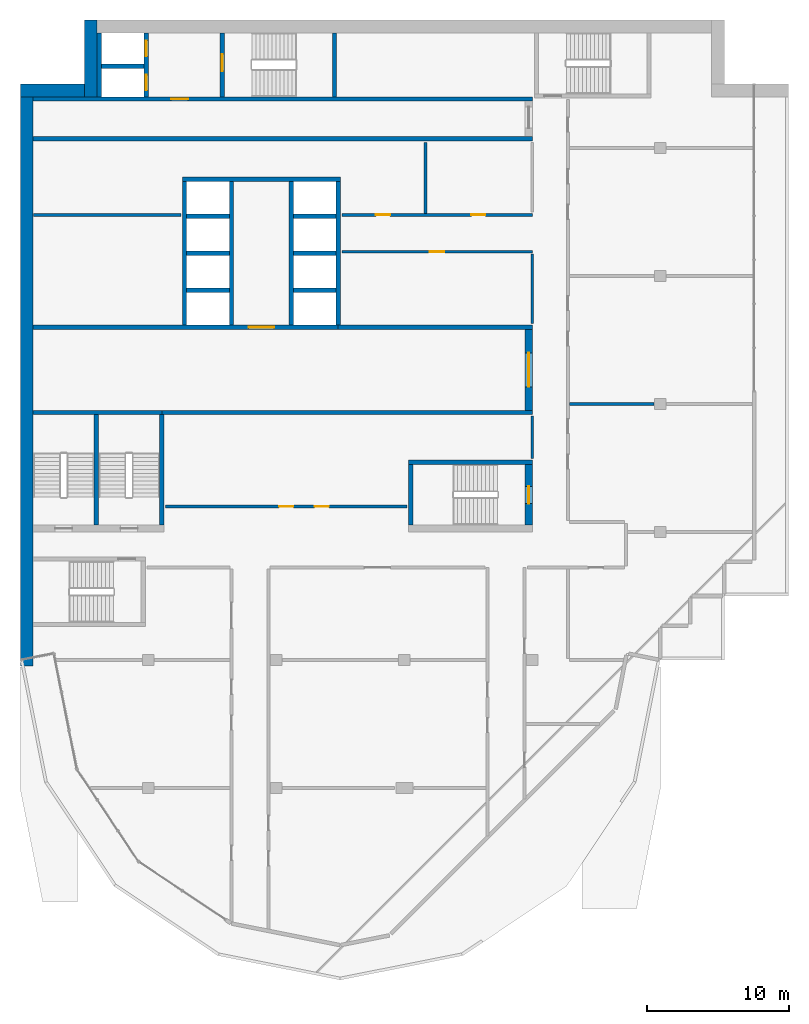
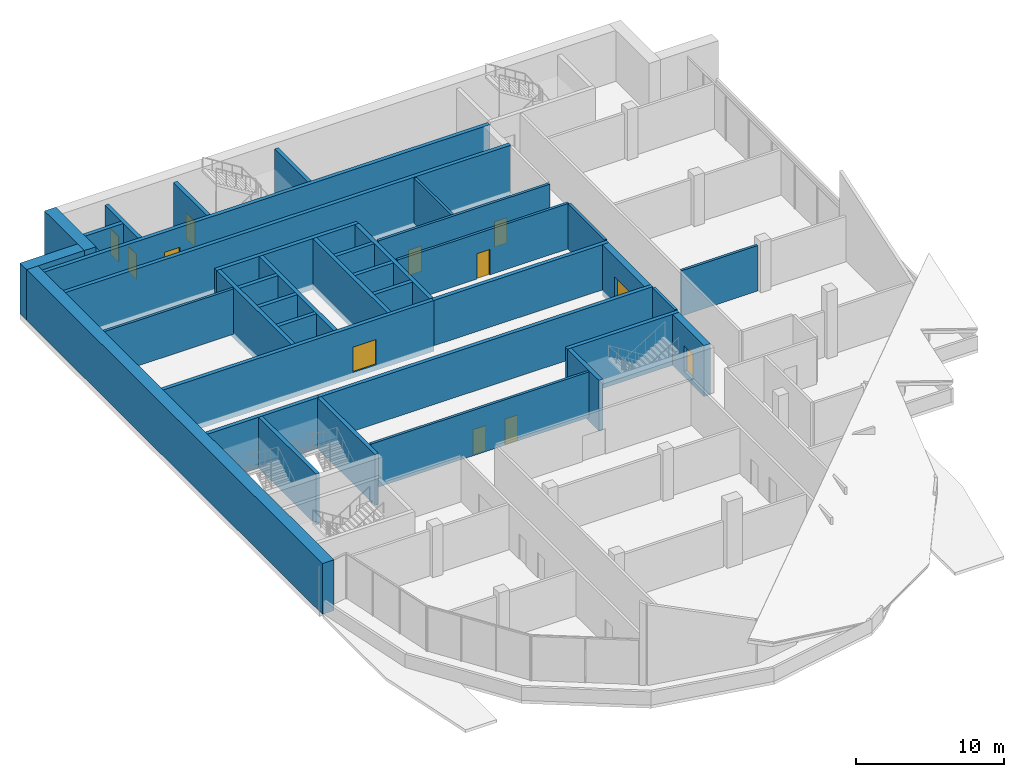
# One storey, part 6 of 11: 39 walls, 12 doors, 12 openings.
"""IFC4 building model written with IfcOpenShell, lengths in metres."""

import ifcopenshell
import ifcopenshell.guid

model = None  # the IFC model being written
_history = None  # IfcOwnerHistory: only IFC2X3 demands one
_inside = {}  # id of a spatial element -> (the spatial element, [elements in it])
_under = {}  # id of a project, library or spatial element -> (it, [spatial elements below it])
_declared = {}  # id of a project -> (the project, [libraries it declares])
_typed = {}  # id of a type object -> (the type object, [elements of that type])
_made_of = {}  # id of a material, layer set ... -> (it, [elements and type objects made of it])


def new_model(schema):
    """Start an empty IFC model of exactly this schema.

    Asked for "IFC4X3", IfcOpenShell would pick the latest addendum, in which some entities
    have other attributes; the version numbers below select the first issue.
    IFC2X3 requires an IfcOwnerHistory on every rooted entity: one is made here for all.
    """
    global model, _history
    if schema == "IFC4X3":
        model = ifcopenshell.file(schema_version=(4, 3, 0, 0))
    else:
        model = ifcopenshell.file(schema=schema)
    _inside.clear()
    _under.clear()
    _declared.clear()
    _typed.clear()
    _made_of.clear()
    _history = None
    if model.schema == "IFC2X3":
        org = make("IfcOrganization", Name="unknown")
        user = make(
            "IfcPersonAndOrganization",
            ThePerson=make("IfcPerson", FamilyName="unknown"),
            TheOrganization=org,
        )
        app = make(
            "IfcApplication",
            ApplicationDeveloper=org,
            Version="unknown",
            ApplicationFullName="unknown",
            ApplicationIdentifier="unknown",
        )
        _history = make(
            "IfcOwnerHistory",
            OwningUser=user,
            OwningApplication=app,
            ChangeAction="ADDED",
            CreationDate=0,
        )
    return model


def make(cls, **values):
    """One entity of the class cls with the attributes given. An attribute that is None is left unset."""
    return model.create_entity(
        cls, **{name: value for name, value in values.items() if value is not None}
    )


def rooted(cls, **values):
    """An entity with a GlobalId (a new one), such as an element, a storey or a relation."""
    return make(cls, GlobalId=ifcopenshell.guid.new(), OwnerHistory=_history, **values)


def si_unit(unit_type, name, prefix=None):
    """IfcSIUnit, for example si_unit("LENGTHUNIT", "METRE", prefix="MILLI")."""
    return make("IfcSIUnit", UnitType=unit_type, Prefix=prefix, Name=name)


def assignment(units):
    """IfcUnitAssignment: the units of a project."""
    return None if units is None else make("IfcUnitAssignment", Units=units)


def point(xyz):
    """IfcCartesianPoint."""
    return None if xyz is None else make("IfcCartesianPoint", Coordinates=xyz)


def direction(xyz):
    """IfcDirection."""
    return None if xyz is None else make("IfcDirection", DirectionRatios=xyz)


def frame(location, z_axis=None, x_axis=None):
    """IfcAxis2Placement3D, a coordinate frame: its origin and axes. An axis left out is left unset."""
    return make(
        "IfcAxis2Placement3D",
        Location=point(location),
        Axis=direction(z_axis),
        RefDirection=direction(x_axis),
    )


def frame_2d(location, x_axis=None):
    """IfcAxis2Placement2D, a coordinate frame in the plane: its origin and x axis."""
    return make(
        "IfcAxis2Placement2D", Location=point(location), RefDirection=direction(x_axis)
    )


def origin():
    """The frame at (0, 0, 0) with its axes left unset."""
    return frame((0.0, 0.0, 0.0))


def place(relative_to, where):
    """IfcLocalPlacement: puts the frame where relative to a parent placement (None: the world)."""
    return make(
        "IfcLocalPlacement", PlacementRelTo=relative_to, RelativePlacement=where
    )


def context(
    kind, dimensions, precision=None, world=None, true_north=None, identifier=None
):
    """IfcGeometricRepresentationContext, for example the 3D "Model" context."""
    return make(
        "IfcGeometricRepresentationContext",
        ContextIdentifier=identifier,
        ContextType=kind,
        CoordinateSpaceDimension=dimensions,
        Precision=precision,
        WorldCoordinateSystem=world,
        TrueNorth=true_north,
    )


def subcontext(parent, identifier, kind, view, scale=None):
    """IfcGeometricRepresentationSubContext, for example "Body" below "Model"."""
    return make(
        "IfcGeometricRepresentationSubContext",
        ContextIdentifier=identifier,
        ContextType=kind,
        ParentContext=parent,
        TargetScale=scale,
        TargetView=view,
    )


def project(units=None, contexts=None):
    """IfcProject with its units and contexts."""
    return rooted(
        "IfcProject",
        Name="project",
        RepresentationContexts=contexts,
        UnitsInContext=assignment(units),
    )


def spatial(cls, under=None, at=None, **own):
    """A site, building, storey or space (cls), placed at a placement, below another one or the project."""
    s = rooted(cls, ObjectPlacement=at, **own)
    if under is not None:
        _under.setdefault(under.id(), (under, []))[1].append(s)
    return s


def polyline(points):
    """IfcPolyline through the points."""
    return make("IfcPolyline", Points=[point(p) for p in points])


def profile(cls, at=None, kind="AREA", **sizes):
    """A parametric profile (cls). Its sizes go by their IFC names, for example OverallWidth=200.0."""
    return make(cls, ProfileType=kind, Position=at, **sizes)


def rectangle(**sizes):
    """IfcRectangleProfileDef."""
    return profile("IfcRectangleProfileDef", **sizes)


def outline(outer, holes=None, kind="AREA"):
    """IfcArbitraryClosedProfileDef: a profile drawn as a closed curve; with holes, ...WithVoids."""
    if holes is None:
        return make("IfcArbitraryClosedProfileDef", ProfileType=kind, OuterCurve=outer)
    return make(
        "IfcArbitraryProfileDefWithVoids",
        ProfileType=kind,
        OuterCurve=outer,
        InnerCurves=holes,
    )


def extrude(swept, where, along, depth):
    """IfcExtrudedAreaSolid: the profile swept, set in the frame where, extruded along a direction by depth."""
    return make(
        "IfcExtrudedAreaSolid",
        SweptArea=swept,
        Position=where,
        ExtrudedDirection=direction(along),
        Depth=depth,
    )


def shape(context_of_items, identifier, shape_type, items):
    """IfcShapeRepresentation: the items that make up one representation, for example the "Body"."""
    return make(
        "IfcShapeRepresentation",
        ContextOfItems=context_of_items,
        RepresentationIdentifier=identifier,
        RepresentationType=shape_type,
        Items=items,
    )


def material(Name=None, Category=None):
    """IfcMaterial."""
    return make("IfcMaterial", Name=Name, Category=Category)


def layer(
    of_material, thickness, ventilated=None, Name=None, Category=None, Priority=None
):
    """IfcMaterialLayer: one layer of a wall or slab, of a material (None: an air gap)."""
    return make(
        "IfcMaterialLayer",
        Material=of_material,
        LayerThickness=thickness,
        IsVentilated=ventilated,
        Name=Name,
        Category=Category,
        Priority=Priority,
    )


def layer_set(layers, Name=None):
    """IfcMaterialLayerSet."""
    return make("IfcMaterialLayerSet", MaterialLayers=layers, LayerSetName=Name)


def made_of(thing, what):
    """Note that an element or type object is made of a material, layer set ...; save() writes the relation."""
    if what is not None:
        _made_of.setdefault(what.id(), (what, []))[1].append(thing)
    return thing


def type_object(cls, material=None, **own):
    """A type object (cls), such as IfcWallType, which elements share."""
    return made_of(rooted(cls, **own), material)


def element(
    cls,
    number,
    at=None,
    inside=None,
    cuts=None,
    type_object=None,
    material=None,
    context=None,
    identifier="Body",
    shape_type=None,
    held_by="IfcProductDefinitionShape",
    body=None,
    shapes=None,
    **own,
):
    """One element of the class cls, such as IfcWall. Its Tag is "e" and its number.

    at: its placement. inside: the storey or other place that contains it. cuts: it is an
    opening in that element (IfcRelVoidsElement). A single representation is given by context,
    identifier, shape_type and body (its items); several are given by shapes. held_by: the class
    of the entity that holds the representations. save() writes the other relations.
    """
    e = rooted(cls, Tag="e%d" % number, ObjectPlacement=at, **own)
    if body is not None:
        shapes = [shape(context, identifier, shape_type, body)]
    if shapes is not None:
        e.Representation = make(held_by, Representations=shapes)
    if inside is not None:
        _inside.setdefault(inside.id(), (inside, []))[1].append(e)
    if cuts is not None:
        rooted(
            "IfcRelVoidsElement", RelatingBuildingElement=cuts, RelatedOpeningElement=e
        )
    if type_object is not None:
        _typed.setdefault(type_object.id(), (type_object, []))[1].append(e)
    return made_of(e, material)


def fill(opening, filler):
    """IfcRelFillsElement: the door or window that sits in an opening."""
    return rooted(
        "IfcRelFillsElement",
        RelatingOpeningElement=opening,
        RelatedBuildingElement=filler,
    )


def aggregate(whole, parts):
    """IfcRelAggregates: a whole, such as a stair, and the parts it consists of."""
    return rooted("IfcRelAggregates", RelatingObject=whole, RelatedObjects=parts)


def save(model, path):
    """Write the relations noted so far, then the file.

    IfcRelAggregates (storeys below a building ...), IfcRelContainedInSpatialStructure (elements
    in a storey), IfcRelDefinesByType, IfcRelAssociatesMaterial and IfcRelDeclares: one each for
    every whole, place, type object, material and project.
    """
    for whole, parts in _under.values():
        aggregate(whole, parts)
    for where, things in _inside.values():
        rooted(
            "IfcRelContainedInSpatialStructure",
            RelatedElements=things,
            RelatingStructure=where,
        )
    for kind, things in _typed.values():
        rooted("IfcRelDefinesByType", RelatedObjects=things, RelatingType=kind)
    for what, things in _made_of.values():
        rooted("IfcRelAssociatesMaterial", RelatedObjects=things, RelatingMaterial=what)
    for by, libraries in _declared.values():
        rooted("IfcRelDeclares", RelatingContext=by, RelatedDefinitions=libraries)
    model.write(path)


model = new_model("IFC4")

# Units and contexts
model_context = context("Model", 3, precision=1e-05, world=origin(), true_north=direction((0.0, 1.0)))
body_context = subcontext(model_context, "Body", "Model", "MODEL_VIEW")
ifc_project = project(units=[si_unit("LENGTHUNIT", "METRE"), si_unit("AREAUNIT", "SQUARE_METRE"), si_unit("VOLUMEUNIT", "CUBIC_METRE"), si_unit("PLANEANGLEUNIT", "RADIAN"), si_unit("MASSUNIT", "GRAM", prefix="KILO")], contexts=[model_context])

# Site, building, storey
site_placement = place(None, origin())
site = spatial("IfcSite", under=ifc_project, at=site_placement, CompositionType="ELEMENT")
building_placement = place(site_placement, origin())
building = spatial("IfcBuilding", under=site, at=building_placement, Name="Hunhe Ridgeline Campus", CompositionType="ELEMENT")
storey_placement = place(building_placement, frame((0.0, 0.0, 303.0)))
storey = spatial("IfcBuildingStorey", under=building, at=storey_placement, Name="L78 Crown", CompositionType="ELEMENT", Elevation=303.0)

# Wall, opening, door
ifc_material_1 = material(Name="Concrete C50", Category="concrete")
ifc_layer_1 = layer(ifc_material_1, 0.5)
ifc_layer_set_1 = layer_set([ifc_layer_1], Name="Core wall 500 reinforced concrete C50")
wall_type_1 = type_object("IfcWallType", Name="Core wall 500 reinforced concrete C50", PredefinedType="SOLIDWALL", material=ifc_layer_set_1)
wall_1_placement = place(storey_placement, frame((35.75, 63.5, -0.449951171875), z_axis=(0.0, 0.0, 1.0), x_axis=(0.0, 1.0, 0.0)))
wall_1 = element("IfcWall", 1, at=wall_1_placement, inside=storey, type_object=wall_type_1, Name="L78 Crown core wall 33", PredefinedType="SOLIDWALL", context=body_context, shape_type="SweptSolid", body=[
    extrude(rectangle(XDim=4.25, YDim=0.5, at=frame_2d((2.125, 0.0))), origin(), (0.0, 0.0, 1.0), 4.199951171875),
])
opening_1_placement = place(wall_1_placement, frame((1.5, 0.0, 0.449951171875)))
opening_1 = element("IfcOpeningElement", 2, at=opening_1_placement, cuts=wall_1, Name="Opening CD15", PredefinedType="OPENING", context=body_context, shape_type="SweptSolid", body=[
    extrude(rectangle(XDim=1.199951171875, YDim=2.10009765625, at=frame_2d((0.60009765625, 1.050048828125))), frame((0.0, 0.25, 0.0), z_axis=(0.0, -1.0, 0.0), x_axis=(1.0, 0.0, 0.0)), (0.0, 0.0, 1.0), 0.5),
])
ifc_material_2 = material(Name="Hollow metal fire door leaf")
door_type_1 = type_object("IfcDoorType", Name="Stair door 1200x2100 FD60", OperationType="SINGLE_SWING_LEFT", PredefinedType="DOOR", material=ifc_material_2)
door_1_placement = place(opening_1_placement, frame((1.199951171875, 0.0, 0.0), z_axis=(0.0, 0.0, 1.0), x_axis=(-1.0, 0.0, 0.0)))
door_1 = element("IfcDoor", 3, at=door_1_placement, inside=storey, type_object=door_type_1, Name="L78 Crown door S2-FLOOR", OperationType="SINGLE_SWING_RIGHT", OverallHeight=2.10009765625, OverallWidth=1.199951171875, PredefinedType="DOOR", context=body_context, shape_type="SweptSolid", body=[
    extrude(rectangle(XDim=1.199951171875, YDim=2.10009765625, at=frame_2d((0.60009765625, 1.050048828125))), frame((0.0, 0.02490234375, 0.0), z_axis=(0.0, -1.0, 0.0), x_axis=(1.0, 0.0, 0.0)), (0.0, 0.0, 1.0), 0.050048828125),
])
fill(opening_1, door_1)

wall_2_placement = place(storey_placement, frame((35.75, 71.550048828125, -0.449951171875), z_axis=(0.0, 0.0, 1.0), x_axis=(0.0, 1.0, 0.0)))
wall_2 = element("IfcWall", 4, at=wall_2_placement, inside=storey, type_object=wall_type_1, Name="L78 Crown core wall 34", PredefinedType="SOLIDWALL", context=body_context, shape_type="SweptSolid", body=[
    extrude(rectangle(XDim=5.699951171875, YDim=0.5, at=frame_2d((2.85009765625, 0.0))), origin(), (0.0, 0.0, 1.0), 4.199951171875),
])
opening_2_placement = place(wall_2_placement, frame((1.64990234375, 0.0, 0.449951171875)))
opening_2 = element("IfcOpeningElement", 5, at=opening_2_placement, cuts=wall_2, Name="Opening CD4", PredefinedType="OPENING", context=body_context, shape_type="SweptSolid", body=[
    extrude(rectangle(XDim=2.39990234375, YDim=2.10009765625, at=frame_2d((1.199951171875, 1.050048828125))), frame((0.0, 0.25, 0.0), z_axis=(0.0, -1.0, 0.0), x_axis=(1.0, 0.0, 0.0)), (0.0, 0.0, 1.0), 0.5),
])
ifc_material_3 = material(Name="Anodised aluminium and glass", Category="aluminium")
door_type_2 = type_object("IfcDoorType", Name="Glazed double door 2400x2100", OperationType="DOUBLE_DOOR_SINGLE_SWING", PredefinedType="DOOR", material=ifc_material_3)
door_2_placement = place(opening_2_placement, frame((2.39990234375, 0.0, 0.0), z_axis=(0.0, 0.0, 1.0), x_axis=(-1.0, 0.0, 0.0)))
door_2 = element("IfcDoor", 6, at=door_2_placement, inside=storey, type_object=door_type_2, Name="L78 Crown door HALL-FLOOR", OperationType="DOUBLE_DOOR_SINGLE_SWING", OverallHeight=2.10009765625, OverallWidth=2.39990234375, PredefinedType="DOOR", context=body_context, shape_type="SweptSolid", body=[
    extrude(rectangle(XDim=2.39990234375, YDim=2.10009765625, at=frame_2d((1.199951171875, 1.050048828125))), frame((0.0, 0.02490234375, 0.0), z_axis=(0.0, -1.0, 0.0), x_axis=(1.0, 0.0, 0.0)), (0.0, 0.0, 1.0), 0.050048828125),
])
fill(opening_2, door_2)

# Wall, openings, doors
ifc_material_4 = material(Name="Gypsum board partition")
ifc_layer_2 = layer(ifc_material_4, 0.199951171875)
ifc_layer_set_2 = layer_set([ifc_layer_2], Name="Corridor partition 200 gypsum board on steel studs")
wall_type_2 = type_object("IfcWallType", Name="Corridor partition 200 gypsum board on steel studs", PredefinedType="PARTITIONING", material=ifc_layer_set_2)
wall_3_placement = place(storey_placement, frame((10.2041015625, 64.800048828125, 0.0), z_axis=(0.0, 0.0, 1.0), x_axis=(1.0, 0.0, 0.0)))
wall_3 = element("IfcWall", 7, at=wall_3_placement, inside=storey, type_object=wall_type_2, Name="F-L78 Crown-wall-017", PredefinedType="PARTITIONING", context=body_context, shape_type="SweptSolid", body=[
    extrude(rectangle(XDim=16.991943359375, YDim=0.199951171875, at=frame_2d((8.49609375, 0.0))), origin(), (0.0, 0.0, 1.0), 3.75),
])
opening_3_placement = place(wall_3_placement, frame((7.99609375, 0.0, 0.0)))
opening_3 = element("IfcOpeningElement", 8, at=opening_3_placement, cuts=wall_3, Name="Opening RD1-013", PredefinedType="OPENING", context=body_context, shape_type="SweptSolid", body=[
    extrude(rectangle(XDim=1.0, YDim=2.10009765625, at=frame_2d((0.5, 1.050048828125))), frame((0.0, 0.10009765625, 0.0), z_axis=(0.0, -1.0, 0.0), x_axis=(1.0, 0.0, 0.0)), (0.0, 0.0, 1.0), 0.199951171875),
])
opening_4_placement = place(wall_3_placement, frame((10.49609375, 0.0, 0.0)))
opening_4 = element("IfcOpeningElement", 9, at=opening_4_placement, cuts=wall_3, Name="Opening RD1-014", PredefinedType="OPENING", context=body_context, shape_type="SweptSolid", body=[
    extrude(rectangle(XDim=1.0, YDim=2.10009765625, at=frame_2d((0.5, 1.050048828125))), frame((0.0, 0.10009765625, 0.0), z_axis=(0.0, -1.0, 0.0), x_axis=(1.0, 0.0, 0.0)), (0.0, 0.0, 1.0), 0.199951171875),
])
ifc_material_5 = material(Name="Timber door leaf", Category="wood")
door_type_3 = type_object("IfcDoorType", Name="Single fire door 1000x2100 timber FD60", OperationType="NOTDEFINED", PredefinedType="DOOR", material=ifc_material_5)
door_3_placement = place(opening_3_placement, frame((1.0, 0.0, 0.0), z_axis=(0.0, 0.0, 1.0), x_axis=(-1.0, 0.0, 0.0)))
door_3 = element("IfcDoor", 10, at=door_3_placement, inside=storey, type_object=door_type_3, Name="F-L78 Crown-door-013", OperationType="SINGLE_SWING_RIGHT", OverallHeight=2.10009765625, OverallWidth=1.0, PredefinedType="DOOR", context=body_context, shape_type="SweptSolid", body=[
    extrude(rectangle(XDim=1.0, YDim=2.10009765625, at=frame_2d((0.5, 1.050048828125))), frame((0.0, 0.02490234375, 0.0), z_axis=(0.0, -1.0, 0.0), x_axis=(1.0, 0.0, 0.0)), (0.0, 0.0, 1.0), 0.050048828125),
])
fill(opening_3, door_3)
door_4_placement = place(opening_4_placement, frame((1.0, 0.0, 0.0), z_axis=(0.0, 0.0, 1.0), x_axis=(-1.0, 0.0, 0.0)))
door_4 = element("IfcDoor", 11, at=door_4_placement, inside=storey, type_object=door_type_3, Name="F-L78 Crown-door-014", OperationType="SINGLE_SWING_LEFT", OverallHeight=2.10009765625, OverallWidth=1.0, PredefinedType="DOOR", context=body_context, shape_type="SweptSolid", body=[
    extrude(rectangle(XDim=1.0, YDim=2.10009765625, at=frame_2d((0.5, 1.050048828125))), frame((0.0, 0.02490234375, 0.0), z_axis=(0.0, -1.0, 0.0), x_axis=(1.0, 0.0, 0.0)), (0.0, 0.0, 1.0), 0.050048828125),
])
fill(opening_4, door_4)

# Wall
wall_4_placement = place(storey_placement, frame((38.60009765625, 72.0, 0.0), z_axis=(0.0, 0.0, 1.0), x_axis=(1.0, 0.0, 0.0)))
element("IfcWall", 12, at=wall_4_placement, inside=storey, type_object=wall_type_2, Name="F-L78 Crown-wall-018", PredefinedType="PARTITIONING", context=body_context, shape_type="SweptSolid", body=[
    extrude(rectangle(XDim=5.949951171875, YDim=0.199951171875, at=frame_2d((2.97509765625, 0.0))), origin(), (0.0, 0.0, 1.0), 3.75),
])

# Wall, opening, door
wall_5_placement = place(storey_placement, frame((36.0, 82.699951171875, 0.0), z_axis=(0.0, 0.0, 1.0), x_axis=(-1.0, 0.0, 0.0)))
wall_5 = element("IfcWall", 13, at=wall_5_placement, inside=storey, type_object=wall_type_2, Name="F-L78 Crown-wall-022", PredefinedType="PARTITIONING", context=body_context, shape_type="SweptSolid", body=[
    extrude(rectangle(XDim=13.39599609375, YDim=0.199951171875, at=frame_2d((6.697998046875, 0.0))), origin(), (0.0, 0.0, 1.0), 3.75),
])
opening_5_placement = place(wall_5_placement, frame((6.197998046875, 0.0, 0.0)))
opening_5 = element("IfcOpeningElement", 14, at=opening_5_placement, cuts=wall_5, Name="Opening RD1-019", PredefinedType="OPENING", context=body_context, shape_type="SweptSolid", body=[
    extrude(rectangle(XDim=1.0, YDim=2.10009765625, at=frame_2d((0.5, 1.050048828125))), frame((0.0, 0.10009765625, 0.0), z_axis=(0.0, -1.0, 0.0), x_axis=(1.0, 0.0, 0.0)), (0.0, 0.0, 1.0), 0.199951171875),
])
door_5_placement = place(opening_5_placement, frame((1.0, 0.0, 0.0), z_axis=(0.0, 0.0, 1.0), x_axis=(-1.0, 0.0, 0.0)))
door_5 = element("IfcDoor", 15, at=door_5_placement, inside=storey, type_object=door_type_3, Name="F-L78 Crown-door-019", OperationType="SINGLE_SWING_LEFT", OverallHeight=2.10009765625, OverallWidth=1.0, PredefinedType="DOOR", context=body_context, shape_type="SweptSolid", body=[
    extrude(rectangle(XDim=1.0, YDim=2.10009765625, at=frame_2d((0.5, 1.050048828125))), frame((0.0, 0.02490234375, 0.0), z_axis=(0.0, -1.0, 0.0), x_axis=(1.0, 0.0, 0.0)), (0.0, 0.0, 1.0), 0.050048828125),
])
fill(opening_5, door_5)

# Wall
wall_6_placement = place(storey_placement, frame((0.919921875, 85.300048828125, 0.0), z_axis=(0.0, 0.0, 1.0), x_axis=(1.0, 0.0, 0.0)))
element("IfcWall", 16, at=wall_6_placement, inside=storey, type_object=wall_type_2, Name="F-L78 Crown-wall-023", PredefinedType="PARTITIONING", context=body_context, shape_type="SweptSolid", body=[
    extrude(rectangle(XDim=10.3759765625, YDim=0.199951171875, at=frame_2d((5.18798828125, 0.0))), origin(), (0.0, 0.0, 1.0), 3.75),
])

# Wall, openings, doors
wall_7_placement = place(storey_placement, frame((22.60400390625, 85.300048828125, 0.0), z_axis=(0.0, 0.0, 1.0), x_axis=(1.0, 0.0, 0.0)))
wall_7 = element("IfcWall", 17, at=wall_7_placement, inside=storey, type_object=wall_type_2, Name="F-L78 Crown-wall-024", PredefinedType="PARTITIONING", context=body_context, shape_type="SweptSolid", body=[
    extrude(rectangle(XDim=13.39599609375, YDim=0.199951171875, at=frame_2d((6.697998046875, 0.0))), origin(), (0.0, 0.0, 1.0), 3.75),
])
opening_6_placement = place(wall_7_placement, frame((2.40673828125, 0.0, 0.0)))
opening_6 = element("IfcOpeningElement", 18, at=opening_6_placement, cuts=wall_7, Name="Opening RD1-020", PredefinedType="OPENING", context=body_context, shape_type="SweptSolid", body=[
    extrude(rectangle(XDim=1.0, YDim=2.10009765625, at=frame_2d((0.5, 1.050048828125))), frame((0.0, 0.10009765625, 0.0), z_axis=(0.0, -1.0, 0.0), x_axis=(1.0, 0.0, 0.0)), (0.0, 0.0, 1.0), 0.199951171875),
])
opening_7_placement = place(wall_7_placement, frame((9.104736328125, 0.0, 0.0)))
opening_7 = element("IfcOpeningElement", 19, at=opening_7_placement, cuts=wall_7, Name="Opening RD1-021", PredefinedType="OPENING", context=body_context, shape_type="SweptSolid", body=[
    extrude(rectangle(XDim=1.0, YDim=2.10009765625, at=frame_2d((0.5, 1.050048828125))), frame((0.0, 0.10009765625, 0.0), z_axis=(0.0, -1.0, 0.0), x_axis=(1.0, 0.0, 0.0)), (0.0, 0.0, 1.0), 0.199951171875),
])
door_6_placement = place(opening_6_placement, frame((1.0, 0.0, 0.0), z_axis=(0.0, 0.0, 1.0), x_axis=(-1.0, 0.0, 0.0)))
door_6 = element("IfcDoor", 20, at=door_6_placement, inside=storey, type_object=door_type_3, Name="F-L78 Crown-door-020", OperationType="SINGLE_SWING_LEFT", OverallHeight=2.10009765625, OverallWidth=1.0, PredefinedType="DOOR", context=body_context, shape_type="SweptSolid", body=[
    extrude(rectangle(XDim=1.0, YDim=2.10009765625, at=frame_2d((0.5, 1.050048828125))), frame((0.0, 0.02490234375, 0.0), z_axis=(0.0, -1.0, 0.0), x_axis=(1.0, 0.0, 0.0)), (0.0, 0.0, 1.0), 0.050048828125),
])
fill(opening_6, door_6)
door_7_placement = place(opening_7_placement, frame((1.0, 0.0, 0.0), z_axis=(0.0, 0.0, 1.0), x_axis=(-1.0, 0.0, 0.0)))
door_7 = element("IfcDoor", 21, at=door_7_placement, inside=storey, type_object=door_type_3, Name="F-L78 Crown-door-021", OperationType="SINGLE_SWING_LEFT", OverallHeight=2.10009765625, OverallWidth=1.0, PredefinedType="DOOR", context=body_context, shape_type="SweptSolid", body=[
    extrude(rectangle(XDim=1.0, YDim=2.10009765625, at=frame_2d((0.5, 1.050048828125))), frame((0.0, 0.02490234375, 0.0), z_axis=(0.0, -1.0, 0.0), x_axis=(1.0, 0.0, 0.0)), (0.0, 0.0, 1.0), 0.050048828125),
])
fill(opening_7, door_7)

# Walls
wall_8_placement = place(storey_placement, frame((28.5, 90.39599609375, 0.0), z_axis=(0.0, 0.0, 1.0), x_axis=(0.0, -1.0, 0.0)))
element("IfcWall", 22, at=wall_8_placement, inside=storey, type_object=wall_type_2, Name="F-L78 Crown-wall-029", PredefinedType="PARTITIONING", context=body_context, shape_type="SweptSolid", body=[
    extrude(rectangle(XDim=4.99609375, YDim=0.199951171875, at=frame_2d((2.498046875, 0.0))), origin(), (0.0, 0.0, 1.0), 3.75),
])
wall_9_placement = place(storey_placement, frame((36.0, 68.154052734375, 0.0), z_axis=(0.0, 0.0, 1.0), x_axis=(0.0, 1.0, 0.0)))
element("IfcWall", 23, at=wall_9_placement, inside=storey, type_object=wall_type_2, Name="F-L78 Crown-wall-032", PredefinedType="PARTITIONING", context=body_context, shape_type="SweptSolid", body=[
    extrude(rectangle(XDim=2.991943359375, YDim=0.199951171875, at=frame_2d((1.49609375, 0.0))), origin(), (0.0, 0.0, 1.0), 3.75),
])
wall_10_placement = place(storey_placement, frame((36.0, 77.654052734375, 0.0), z_axis=(0.0, 0.0, 1.0), x_axis=(0.0, 1.0, 0.0)))
element("IfcWall", 24, at=wall_10_placement, inside=storey, type_object=wall_type_2, Name="F-L78 Crown-wall-033", PredefinedType="PARTITIONING", context=body_context, shape_type="SweptSolid", body=[
    extrude(rectangle(XDim=4.900634765625, YDim=0.199951171875, at=frame_2d((2.4501953125, 0.0))), origin(), (0.0, 0.0, 1.0), 3.75),
])
ifc_layer_3 = layer(ifc_material_1, 0.300048828125)
ifc_layer_set_3 = layer_set([ifc_layer_3], Name="Lobby wall 300 reinforced concrete C50")
wall_type_3 = type_object("IfcWallType", Name="Lobby wall 300 reinforced concrete C50", PredefinedType="SOLIDWALL", material=ifc_layer_set_3)
wall_11_placement = place(storey_placement, frame((9.949951171875, 71.39990234375, 0.0), z_axis=(0.0, 0.0, 1.0), x_axis=(1.0, 0.0, 0.0)))
element("IfcWall", 25, at=wall_11_placement, inside=storey, type_object=wall_type_3, Name="L78 Crown core wall 7", PredefinedType="SOLIDWALL", context=body_context, shape_type="SweptSolid", body=[
    extrude(rectangle(XDim=26.050048828125, YDim=0.300048828125, at=frame_2d((13.02490234375, 0.0))), origin(), (0.0, 0.0, 1.0), 3.75),
])
wall_12_placement = place(storey_placement, frame((22.35009765625, 77.39990234375, 0.0), z_axis=(0.0, 0.0, 1.0), x_axis=(1.0, 0.0, 0.0)))
element("IfcWall", 26, at=wall_12_placement, inside=storey, type_object=wall_type_3, Name="L78 Crown core wall 9", PredefinedType="SOLIDWALL", context=body_context, shape_type="SweptSolid", body=[
    extrude(rectangle(XDim=13.64990234375, YDim=0.300048828125, at=frame_2d((6.824951171875, 0.0))), origin(), (0.0, 0.0, 1.0), 3.75),
])
wall_13_placement = place(storey_placement, frame((0.89990234375, 90.64990234375, -0.449951171875), z_axis=(0.0, 0.0, 1.0), x_axis=(1.0, 0.0, 0.0)))
element("IfcWall", 27, at=wall_13_placement, inside=storey, type_object=wall_type_3, Name="L78 Crown core wall 17", PredefinedType="SOLIDWALL", context=body_context, shape_type="SweptSolid", body=[
    extrude(rectangle(XDim=35.10009765625, YDim=0.300048828125, at=frame_2d((17.550048828125, 0.0))), origin(), (0.0, 0.0, 1.0), 4.199951171875),
])

# Wall, opening, door
ifc_layer_4 = layer(ifc_material_1, 0.300048828125)
ifc_layer_set_4 = layer_set([ifc_layer_4], Name="Shaft wall 300 reinforced concrete C50")
wall_type_4 = type_object("IfcWallType", Name="Shaft wall 300 reinforced concrete C50", PredefinedType="SOLIDWALL", material=ifc_layer_set_4)
wall_14_placement = place(storey_placement, frame((0.89990234375, 77.39990234375, -0.449951171875), z_axis=(0.0, 0.0, 1.0), x_axis=(1.0, 0.0, 0.0)))
wall_14 = element("IfcWall", 28, at=wall_14_placement, inside=storey, type_object=wall_type_4, Name="L78 Crown core wall 8", PredefinedType="SOLIDWALL", context=body_context, shape_type="SweptSolid", body=[
    extrude(rectangle(XDim=21.4501953125, YDim=0.300048828125, at=frame_2d((10.72509765625, 0.0))), origin(), (0.0, 0.0, 1.0), 4.199951171875),
])
opening_8_placement = place(wall_14_placement, frame((15.14990234375, 0.0, 0.449951171875)))
opening_8 = element("IfcOpeningElement", 29, at=opening_8_placement, cuts=wall_14, Name="Opening CD38", PredefinedType="OPENING", context=body_context, shape_type="SweptSolid", body=[
    extrude(rectangle(XDim=1.800048828125, YDim=2.10009765625, at=frame_2d((0.89990234375, 1.050048828125))), frame((0.0, 0.14990234375, 0.0), z_axis=(0.0, -1.0, 0.0), x_axis=(1.0, 0.0, 0.0)), (0.0, 0.0, 1.0), 0.300048828125),
])
door_type_4 = type_object("IfcDoorType", Name="Lobby door 1800x2100 FD60", OperationType="SINGLE_SWING_LEFT", PredefinedType="DOOR", material=ifc_material_2)
door_8_placement = place(opening_8_placement, frame((1.800048828125, 0.0, 0.0), z_axis=(0.0, 0.0, 1.0), x_axis=(-1.0, 0.0, 0.0)))
door_8 = element("IfcDoor", 30, at=door_8_placement, inside=storey, type_object=door_type_4, Name="L78 Crown door LOB-HR", OperationType="SINGLE_SWING_RIGHT", OverallHeight=2.10009765625, OverallWidth=1.800048828125, PredefinedType="DOOR", context=body_context, shape_type="SweptSolid", body=[
    extrude(rectangle(XDim=1.800048828125, YDim=2.10009765625, at=frame_2d((0.89990234375, 1.050048828125))), frame((0.0, 0.02490234375, 0.0), z_axis=(0.0, -1.0, 0.0), x_axis=(1.0, 0.0, 0.0)), (0.0, 0.0, 1.0), 0.050048828125),
])
fill(opening_8, door_8)

# Walls
for number, where, z_axis, x_axis, name in (
    (31, (11.699951171875, 80.0, -0.449951171875), (0.0, 0.0, 1.0), (1.0, 0.0, 0.0), "L78 Crown core wall 10"),
    (32, (19.199951171875, 80.0, -0.449951171875), (0.0, 0.0, 1.0), (1.0, 0.0, 0.0), "L78 Crown core wall 11"),
    (33, (11.699951171875, 82.60009765625, -0.449951171875), (0.0, 0.0, 1.0), (1.0, 0.0, 0.0), "L78 Crown core wall 12"),
    (34, (19.199951171875, 82.60009765625, -0.449951171875), (0.0, 0.0, 1.0), (1.0, 0.0, 0.0), "L78 Crown core wall 13"),
    (35, (11.699951171875, 85.199951171875, -0.449951171875), (0.0, 0.0, 1.0), (1.0, 0.0, 0.0), "L78 Crown core wall 14"),
    (36, (19.199951171875, 85.199951171875, -0.449951171875), (0.0, 0.0, 1.0), (1.0, 0.0, 0.0), "L78 Crown core wall 15"),
):
    element("IfcWall", number, at=place(storey_placement, frame(where, z_axis=z_axis, x_axis=x_axis)), inside=storey, type_object=wall_type_4, Name=name, PredefinedType="SOLIDWALL", context=body_context, shape_type="SweptSolid", body=[
        extrude(rectangle(XDim=3.0, YDim=0.300048828125, at=frame_2d((1.5, 0.0))), origin(), (0.0, 0.0, 1.0), 4.199951171875),
    ])
wall_15_placement = place(storey_placement, frame((11.39990234375, 87.800048828125, -0.449951171875), z_axis=(0.0, 0.0, 1.0), x_axis=(1.0, 0.0, 0.0)))
element("IfcWall", 37, at=wall_15_placement, inside=storey, type_object=wall_type_4, Name="L78 Crown core wall 16", PredefinedType="SOLIDWALL", context=body_context, shape_type="SweptSolid", body=[
    extrude(rectangle(XDim=11.10009765625, YDim=0.300048828125, at=frame_2d((5.550048828125, 0.0))), origin(), (0.0, 0.0, 1.0), 4.199951171875),
])

# Wall, opening, door
wall_16_placement = place(storey_placement, frame((0.89990234375, 93.449951171875, -0.449951171875), z_axis=(0.0, 0.0, 1.0), x_axis=(1.0, 0.0, 0.0)))
wall_16 = element("IfcWall", 38, at=wall_16_placement, inside=storey, type_object=wall_type_4, Name="L78 Crown core wall 18", PredefinedType="SOLIDWALL", context=body_context, shape_type="SweptSolid", body=[
    extrude(rectangle(XDim=35.10009765625, YDim=0.300048828125, at=frame_2d((17.550048828125, 0.0))), origin(), (0.0, 0.0, 1.0), 4.199951171875),
])
opening_9_placement = place(wall_16_placement, frame((9.699951171875, 0.0, 0.449951171875)))
opening_9 = element("IfcOpeningElement", 39, at=opening_9_placement, cuts=wall_16, Name="Opening CD3", PredefinedType="OPENING", context=body_context, shape_type="SweptSolid", body=[
    extrude(rectangle(XDim=1.199951171875, YDim=2.10009765625, at=frame_2d((0.60009765625, 1.050048828125))), frame((0.0, 0.14990234375, 0.0), z_axis=(0.0, -1.0, 0.0), x_axis=(1.0, 0.0, 0.0)), (0.0, 0.0, 1.0), 0.300048828125),
])
door_type_5 = type_object("IfcDoorType", Name="Lobby door 1200x2100 FD60", OperationType="SINGLE_SWING_LEFT", PredefinedType="DOOR", material=ifc_material_2)
door_9_placement = place(opening_9_placement, frame((1.199951171875, 0.0, 0.0), z_axis=(0.0, 0.0, 1.0), x_axis=(-1.0, 0.0, 0.0)))
door_9 = element("IfcDoor", 40, at=door_9_placement, inside=storey, type_object=door_type_5, Name="L78 Crown door FF-C1", OperationType="SINGLE_SWING_RIGHT", OverallHeight=2.10009765625, OverallWidth=1.199951171875, PredefinedType="DOOR", context=body_context, shape_type="SweptSolid", body=[
    extrude(rectangle(XDim=1.199951171875, YDim=2.10009765625, at=frame_2d((0.60009765625, 1.050048828125))), frame((0.0, 0.02490234375, 0.0), z_axis=(0.0, -1.0, 0.0), x_axis=(1.0, 0.0, 0.0)), (0.0, 0.0, 1.0), 0.050048828125),
])
fill(opening_9, door_9)

# Walls
wall_17_placement = place(storey_placement, frame((5.699951171875, 95.75, -0.449951171875), z_axis=(0.0, 0.0, 1.0), x_axis=(1.0, 0.0, 0.0)))
element("IfcWall", 41, at=wall_17_placement, inside=storey, type_object=wall_type_4, Name="L78 Crown core wall 20", PredefinedType="SOLIDWALL", context=body_context, shape_type="SweptSolid", body=[
    extrude(rectangle(XDim=3.0, YDim=0.300048828125, at=frame_2d((1.5, 0.0))), origin(), (0.0, 0.0, 1.0), 4.199951171875),
])
wall_18_placement = place(storey_placement, frame((5.550048828125, 93.60009765625, -0.449951171875), z_axis=(0.0, 0.0, 1.0), x_axis=(0.0, 1.0, 0.0)))
element("IfcWall", 42, at=wall_18_placement, inside=storey, type_object=wall_type_4, Name="L78 Crown core wall 22", PredefinedType="SOLIDWALL", context=body_context, shape_type="SweptSolid", body=[
    extrude(rectangle(XDim=4.5, YDim=0.300048828125, at=frame_2d((2.25, 0.0))), origin(), (0.0, 0.0, 1.0), 4.199951171875),
])

# Wall, openings, doors
wall_19_placement = place(storey_placement, frame((8.85009765625, 93.60009765625, -0.449951171875), z_axis=(0.0, 0.0, 1.0), x_axis=(0.0, 1.0, 0.0)))
wall_19 = element("IfcWall", 43, at=wall_19_placement, inside=storey, type_object=wall_type_4, Name="L78 Crown core wall 24", PredefinedType="SOLIDWALL", context=body_context, shape_type="SweptSolid", body=[
    extrude(rectangle(XDim=4.5, YDim=0.300048828125, at=frame_2d((2.25, 0.0))), origin(), (0.0, 0.0, 1.0), 4.199951171875),
])
opening_10_placement = place(wall_19_placement, frame((0.449951171875, 0.0, 0.449951171875)))
opening_10 = element("IfcOpeningElement", 44, at=opening_10_placement, cuts=wall_19, Name="Opening LD-FF1", PredefinedType="OPENING", context=body_context, shape_type="SweptSolid", body=[
    extrude(rectangle(XDim=1.10009765625, YDim=2.10009765625, at=frame_2d((0.550048828125, 1.050048828125))), frame((0.0, 0.14990234375, 0.0), z_axis=(0.0, -1.0, 0.0), x_axis=(1.0, 0.0, 0.0)), (0.0, 0.0, 1.0), 0.300048828125),
])
opening_11_placement = place(wall_19_placement, frame((2.85009765625, 0.0, 0.449951171875)))
opening_11 = element("IfcOpeningElement", 45, at=opening_11_placement, cuts=wall_19, Name="Opening LD-FF2", PredefinedType="OPENING", context=body_context, shape_type="SweptSolid", body=[
    extrude(rectangle(XDim=1.10009765625, YDim=2.10009765625, at=frame_2d((0.550048828125, 1.050048828125))), frame((0.0, 0.14990234375, 0.0), z_axis=(0.0, -1.0, 0.0), x_axis=(1.0, 0.0, 0.0)), (0.0, 0.0, 1.0), 0.300048828125),
])
ifc_material_6 = material(Name="Stainless steel sliding leaves", Category="steel")
door_type_6 = type_object("IfcDoorType", Name="Landing door 1100x2100 FD120", OperationType="SLIDING_TO_LEFT", PredefinedType="DOOR", material=ifc_material_6)
door_10_placement = place(opening_10_placement, origin())
door_10 = element("IfcDoor", 46, at=door_10_placement, inside=storey, type_object=door_type_6, Name="L78 Crown landing door FF1", OperationType="SLIDING_TO_RIGHT", OverallHeight=2.10009765625, OverallWidth=1.10009765625, PredefinedType="DOOR", context=body_context, shape_type="SweptSolid", body=[
    extrude(rectangle(XDim=1.10009765625, YDim=2.10009765625, at=frame_2d((0.550048828125, 1.050048828125))), frame((0.0, 0.02490234375, 0.0), z_axis=(0.0, -1.0, 0.0), x_axis=(1.0, 0.0, 0.0)), (0.0, 0.0, 1.0), 0.050048828125),
])
fill(opening_10, door_10)
door_11_placement = place(opening_11_placement, origin())
door_11 = element("IfcDoor", 47, at=door_11_placement, inside=storey, type_object=door_type_6, Name="L78 Crown landing door FF2", OperationType="SLIDING_TO_LEFT", OverallHeight=2.10009765625, OverallWidth=1.10009765625, PredefinedType="DOOR", context=body_context, shape_type="SweptSolid", body=[
    extrude(rectangle(XDim=1.10009765625, YDim=2.10009765625, at=frame_2d((0.550048828125, 1.050048828125))), frame((0.0, 0.02490234375, 0.0), z_axis=(0.0, -1.0, 0.0), x_axis=(1.0, 0.0, 0.0)), (0.0, 0.0, 1.0), 0.050048828125),
])
fill(opening_11, door_11)

# Walls
for number, where, z_axis, x_axis, name in (
    (48, (11.550048828125, 77.550048828125, -0.449951171875), (0.0, 0.0, 1.0), (0.0, 1.0, 0.0), "L78 Crown core wall 26"),
    (49, (14.85009765625, 77.550048828125, -0.449951171875), (0.0, 0.0, 1.0), (0.0, 1.0, 0.0), "L78 Crown core wall 28"),
    (50, (19.050048828125, 77.550048828125, -0.449951171875), (0.0, 0.0, 1.0), (0.0, 1.0, 0.0), "L78 Crown core wall 29"),
    (51, (22.35009765625, 77.550048828125, -0.449951171875), (0.0, 0.0, 1.0), (0.0, 1.0, 0.0), "L78 Crown core wall 31"),
):
    element("IfcWall", number, at=place(storey_placement, frame(where, z_axis=z_axis, x_axis=x_axis)), inside=storey, type_object=wall_type_4, Name=name, PredefinedType="SOLIDWALL", context=body_context, shape_type="SweptSolid", body=[
        extrude(rectangle(XDim=10.099853515625, YDim=0.300048828125, at=frame_2d((5.0498046875, 0.0))), origin(), (0.0, 0.0, 1.0), 4.199951171875),
    ])
ifc_layer_5 = layer(ifc_material_1, 0.89990234375)
ifc_layer_set_5 = layer_set([ifc_layer_5], Name="Spine wall 900 Concrete C50")
wall_type_5 = type_object("IfcWallType", Name="Spine wall 900 Concrete C50", PredefinedType="SHEAR", material=ifc_layer_set_5)
wall_20_placement = place(storey_placement, frame((0.449951171875, 94.5, 0.0), z_axis=(0.0, 0.0, 1.0), x_axis=(0.0, -1.0, 0.0)))
element("IfcWall", 52, at=wall_20_placement, inside=storey, type_object=wall_type_5, Name="Spine wall SW4-1 L78 Crown", PredefinedType="SHEAR", context=body_context, shape_type="SweptSolid", body=[
    extrude(outline(polyline([(0.0, 0.0), (40.90576171875, 0.0), (40.90576171875, 4.199951171875), (0.0, 4.199951171875), (0.0, 0.0)])), frame((0.0, 0.449951171875, 0.0), z_axis=(0.0, -1.0, 0.0), x_axis=(1.0, 0.0, 0.0)), (0.0, 0.0, 1.0), 0.89990234375),
])
for number, where, z_axis, x_axis, name in (
    (53, (4.949951171875, 99.0, 0.0), (0.0, 0.0, 1.0), (0.0, -1.0, 0.0), "Spine wall SW4-5 L78 Crown"),
    (54, (5.39990234375, 94.050048828125, 0.0), (0.0, 0.0, 1.0), (-1.0, 0.0, 0.0), "Spine wall SW4-6 L78 Crown"),
):
    element("IfcWall", number, at=place(storey_placement, frame(where, z_axis=z_axis, x_axis=x_axis)), inside=storey, type_object=wall_type_5, Name=name, PredefinedType="SHEAR", context=body_context, shape_type="SweptSolid", body=[
        extrude(outline(polyline([(0.0, 0.0), (5.39990234375, 0.0), (5.39990234375, 4.199951171875), (0.0, 4.199951171875), (0.0, 0.0)])), frame((0.0, 0.449951171875, 0.0), z_axis=(0.0, -1.0, 0.0), x_axis=(1.0, 0.0, 0.0)), (0.0, 0.0, 1.0), 0.89990234375),
    ])
ifc_layer_6 = layer(ifc_material_1, 0.300048828125)
ifc_layer_set_6 = layer_set([ifc_layer_6], Name="Stair wall 300 reinforced concrete C50")
wall_type_6 = type_object("IfcWallType", Name="Stair wall 300 reinforced concrete C50", PredefinedType="SOLIDWALL", material=ifc_layer_set_6)
wall_21_placement = place(storey_placement, frame((27.300048828125, 67.89990234375, -0.449951171875), z_axis=(0.0, 0.0, 1.0), x_axis=(1.0, 0.0, 0.0)))
element("IfcWall", 55, at=wall_21_placement, inside=storey, type_object=wall_type_6, Name="L78 Crown core wall 5", PredefinedType="SOLIDWALL", context=body_context, shape_type="SweptSolid", body=[
    extrude(rectangle(XDim=8.699951171875, YDim=0.300048828125, at=frame_2d((4.35009765625, 0.0))), origin(), (0.0, 0.0, 1.0), 4.199951171875),
])
wall_22_placement = place(storey_placement, frame((0.89990234375, 71.39990234375, -0.449951171875), z_axis=(0.0, 0.0, 1.0), x_axis=(1.0, 0.0, 0.0)))
element("IfcWall", 56, at=wall_22_placement, inside=storey, type_object=wall_type_6, Name="L78 Crown core wall 6", PredefinedType="SOLIDWALL", context=body_context, shape_type="SweptSolid", body=[
    extrude(rectangle(XDim=9.050048828125, YDim=0.300048828125, at=frame_2d((4.52490234375, 0.0))), origin(), (0.0, 0.0, 1.0), 4.199951171875),
])
for number, where, z_axis, x_axis, name in (
    (57, (5.35009765625, 63.5, -0.449951171875), (0.0, 0.0, 1.0), (0.0, 1.0, 0.0), "L78 Crown core wall 21"),
    (58, (9.949951171875, 63.5, -0.449951171875), (0.0, 0.0, 1.0), (0.0, 1.0, 0.0), "L78 Crown core wall 25"),
):
    element("IfcWall", number, at=place(storey_placement, frame(where, z_axis=z_axis, x_axis=x_axis)), inside=storey, type_object=wall_type_6, Name=name, PredefinedType="SOLIDWALL", context=body_context, shape_type="SweptSolid", body=[
        extrude(rectangle(XDim=7.75, YDim=0.300048828125, at=frame_2d((3.875, 0.0))), origin(), (0.0, 0.0, 1.0), 4.199951171875),
    ])

# Wall, opening, door
wall_23_placement = place(storey_placement, frame((14.199951171875, 93.60009765625, -0.449951171875), z_axis=(0.0, 0.0, 1.0), x_axis=(0.0, 1.0, 0.0)))
wall_23 = element("IfcWall", 59, at=wall_23_placement, inside=storey, type_object=wall_type_6, Name="L78 Crown core wall 27", PredefinedType="SOLIDWALL", context=body_context, shape_type="SweptSolid", body=[
    extrude(rectangle(XDim=4.5, YDim=0.300048828125, at=frame_2d((2.25, 0.0))), origin(), (0.0, 0.0, 1.0), 4.199951171875),
])
opening_12_placement = place(wall_23_placement, frame((1.800048828125, 0.0, 0.449951171875)))
opening_12 = element("IfcOpeningElement", 60, at=opening_12_placement, cuts=wall_23, Name="Opening CD16", PredefinedType="OPENING", context=body_context, shape_type="SweptSolid", body=[
    extrude(rectangle(XDim=1.199951171875, YDim=2.10009765625, at=frame_2d((0.60009765625, 1.050048828125))), frame((0.0, 0.14990234375, 0.0), z_axis=(0.0, -1.0, 0.0), x_axis=(1.0, 0.0, 0.0)), (0.0, 0.0, 1.0), 0.300048828125),
])
door_12_placement = place(opening_12_placement, origin())
door_12 = element("IfcDoor", 61, at=door_12_placement, inside=storey, type_object=door_type_1, Name="L78 Crown door S1-FF", OperationType="SINGLE_SWING_LEFT", OverallHeight=2.10009765625, OverallWidth=1.199951171875, PredefinedType="DOOR", context=body_context, shape_type="SweptSolid", body=[
    extrude(rectangle(XDim=1.199951171875, YDim=2.10009765625, at=frame_2d((0.60009765625, 1.050048828125))), frame((0.0, 0.02490234375, 0.0), z_axis=(0.0, -1.0, 0.0), x_axis=(1.0, 0.0, 0.0)), (0.0, 0.0, 1.0), 0.050048828125),
])
fill(opening_12, door_12)

# Walls
wall_24_placement = place(storey_placement, frame((22.10009765625, 93.60009765625, -0.449951171875), z_axis=(0.0, 0.0, 1.0), x_axis=(0.0, 1.0, 0.0)))
element("IfcWall", 62, at=wall_24_placement, inside=storey, type_object=wall_type_6, Name="L78 Crown core wall 30", PredefinedType="SOLIDWALL", context=body_context, shape_type="SweptSolid", body=[
    extrude(rectangle(XDim=4.5, YDim=0.300048828125, at=frame_2d((2.25, 0.0))), origin(), (0.0, 0.0, 1.0), 4.199951171875),
])
wall_25_placement = place(storey_placement, frame((27.449951171875, 63.5, -0.449951171875), z_axis=(0.0, 0.0, 1.0), x_axis=(0.0, 1.0, 0.0)))
element("IfcWall", 63, at=wall_25_placement, inside=storey, type_object=wall_type_6, Name="L78 Crown core wall 32", PredefinedType="SOLIDWALL", context=body_context, shape_type="SweptSolid", body=[
    extrude(rectangle(XDim=4.25, YDim=0.300048828125, at=frame_2d((2.125, 0.0))), origin(), (0.0, 0.0, 1.0), 4.199951171875),
])

save(model, "model.ifc")
